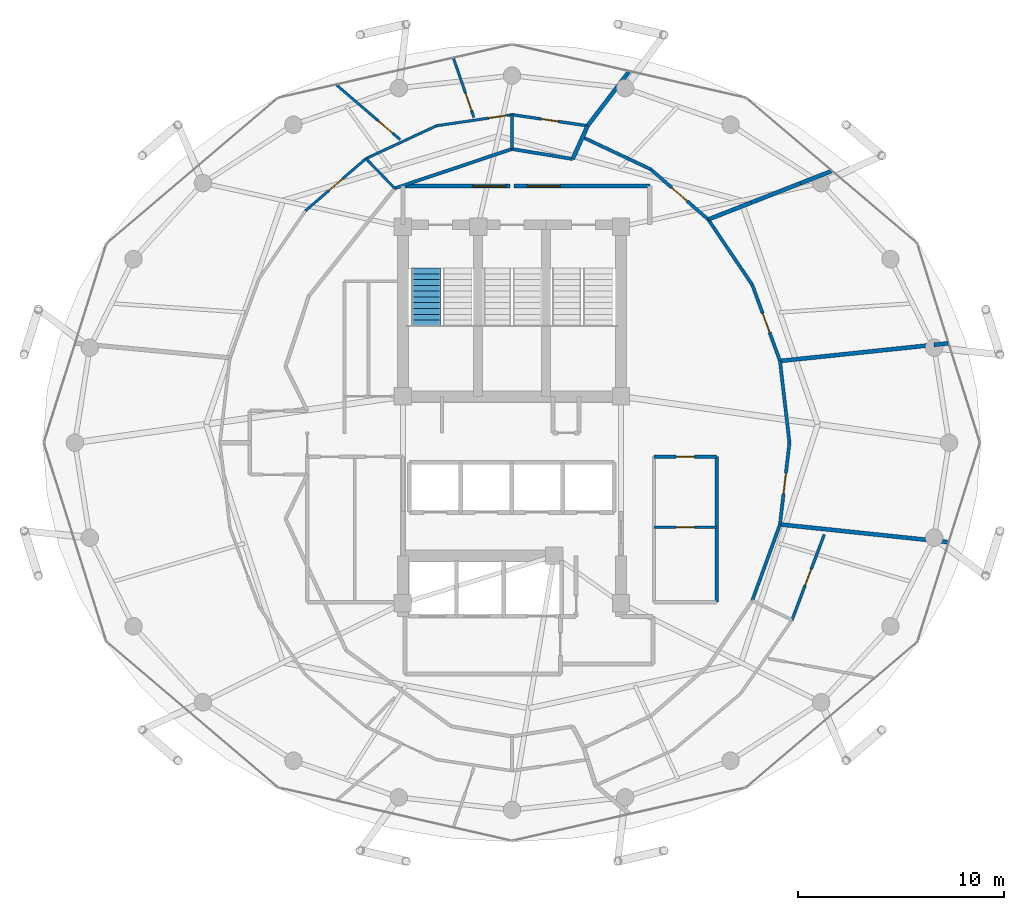
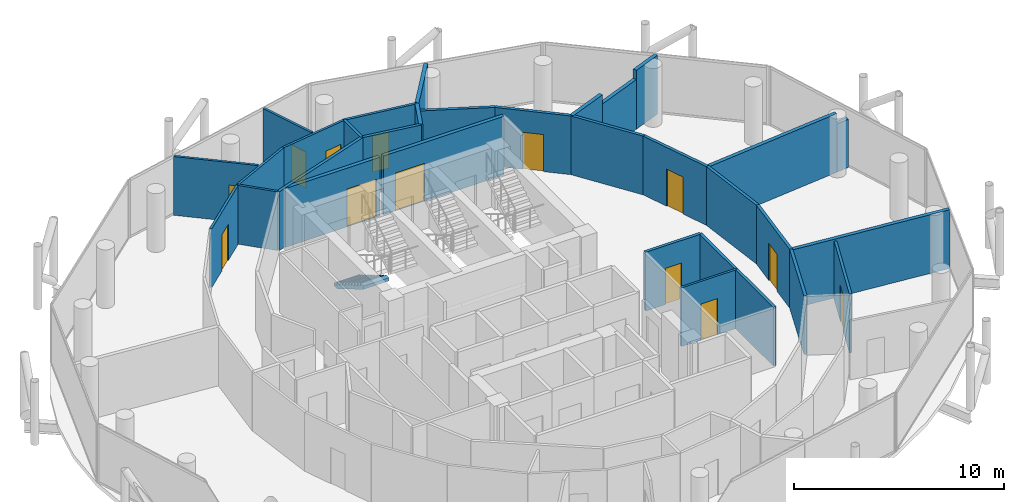
# One storey, part 25 of 27: 31 walls, 13 doors, 1 stair flight, 13 openings, 1 element without a shape of its own.
"""IFC4 building model written with IfcOpenShell, lengths in metres."""

from ifc_helpers import new_model, si_unit, direction, frame, frame_2d, origin, place, context, subcontext, project, spatial, polyline, rectangle, outline, extrude, material, layer, layer_set, type_object, element, fill, aggregate, save


model = new_model("IFC4")

# Units and contexts
model_context = context("Model", 3, precision=1e-05, world=origin(), true_north=direction((0.0, 1.0)))
body_context = subcontext(model_context, "Body", "Model", "MODEL_VIEW")
ifc_project = project(units=[si_unit("LENGTHUNIT", "METRE"), si_unit("AREAUNIT", "SQUARE_METRE"), si_unit("VOLUMEUNIT", "CUBIC_METRE"), si_unit("PLANEANGLEUNIT", "RADIAN"), si_unit("MASSUNIT", "GRAM", prefix="KILO")], contexts=[model_context])

# Site, building, storey
site_placement = place(None, origin())
site = spatial("IfcSite", under=ifc_project, at=site_placement, CompositionType="ELEMENT")
building_placement = place(site_placement, origin())
building = spatial("IfcBuilding", under=site, at=building_placement, Name="Nuhasar Tower", CompositionType="ELEMENT")
storey_placement = place(building_placement, frame((0.0, 0.0, 241.0)))
storey = spatial("IfcBuildingStorey", under=building, at=storey_placement, Name="L59", CompositionType="ELEMENT", Elevation=241.0)

# Wall
ifc_material_1 = material(Name="Gypsum Board", Category="gypsum")
ifc_layer_1 = layer(ifc_material_1, 0.159912109375)
ifc_layer_set_1 = layer_set([ifc_layer_1], Name="Gypsum Board")
wall_type_1 = type_object("IfcWallType", Name="WL-CORR-160", PredefinedType="PARTITIONING", material=ifc_layer_set_1)
wall_1_placement = place(storey_placement, frame((48.949951171875, 19.050048828125, 0.0), z_axis=(0.0, 0.0, 1.0), x_axis=(0.0, 1.0, 0.0)))
element("IfcWall", 1, at=wall_1_placement, inside=storey, type_object=wall_type_1, Name="L59 Interior Partition RECL-B2-E", PredefinedType="PARTITIONING", context=body_context, shape_type="SweptSolid", body=[
    extrude(rectangle(XDim=7.070068359375, YDim=0.159912109375, at=frame_2d((3.53515625, 0.0))), origin(), (0.0, 0.0, 1.0), 3.409912109375),
])

# Wall, opening, door
wall_2_placement = place(storey_placement, frame((48.949951171875, 26.1201171875, 0.0), z_axis=(0.0, 0.0, 1.0), x_axis=(-1.0, 0.0, 0.0)))
wall_2 = element("IfcWall", 2, at=wall_2_placement, inside=storey, type_object=wall_type_1, Name="L59 Interior Partition RECL-B2-N", PredefinedType="PARTITIONING", context=body_context, shape_type="SweptSolid", body=[
    extrude(rectangle(XDim=3.050048828125, YDim=0.159912109375, at=frame_2d((1.52490234375, 0.0))), origin(), (0.0, 0.0, 1.0), 3.409912109375),
])
opening_1_placement = place(wall_2_placement, frame((1.074951171875, 0.0, 0.0)))
opening_1 = element("IfcOpeningElement", 3, at=opening_1_placement, cuts=wall_2, Name="Opening DR-01", PredefinedType="OPENING", context=body_context, shape_type="SweptSolid", body=[
    extrude(rectangle(XDim=0.89990234375, YDim=2.10009765625, at=frame_2d((0.449951171875, 1.050048828125))), frame((0.0, 0.08984375, 0.0), z_axis=(0.0, -1.0, 0.0), x_axis=(1.0, 0.0, 0.0)), (0.0, 0.0, 1.0), 0.179931640625),
])
ifc_material_2 = material(Name="Timber Oak", Category="wood")
door_type_1 = type_object("IfcDoorType", Name="DR-ROOM-900", OperationType="NOTDEFINED", PredefinedType="DOOR", material=ifc_material_2)
door_1_placement = place(opening_1_placement, origin())
door_1 = element("IfcDoor", 4, at=door_1_placement, inside=storey, type_object=door_type_1, Name="L59 Utility Room Door", OperationType="SINGLE_SWING_LEFT", OverallHeight=2.10009765625, OverallWidth=0.89990234375, PredefinedType="DOOR", context=body_context, shape_type="SweptSolid", body=[
    extrude(rectangle(XDim=0.89990234375, YDim=2.10009765625, at=frame_2d((0.449951171875, 1.050048828125))), frame((0.0, 0.02490234375, 0.0), z_axis=(0.0, -1.0, 0.0), x_axis=(1.0, 0.0, 0.0)), (0.0, 0.0, 1.0), 0.050048828125),
])
fill(opening_1, door_1)

# Wall
wall_3_placement = place(storey_placement, frame((50.68310546875, 19.125, 0.0), z_axis=(0.0, 0.0, 1.0), x_axis=(0.341917221123, 0.939730075021, 0.0)))
element("IfcWall", 5, at=wall_3_placement, inside=storey, type_object=wall_type_1, Name="L59 Interior Partition CORR-44", PredefinedType="PARTITIONING", context=body_context, shape_type="SweptSolid", body=[
    extrude(rectangle(XDim=3.939208984375, YDim=0.159912109375, at=frame_2d((1.9697265625, 0.0))), origin(), (0.0, 0.0, 1.0), 3.409912109375),
])

# Wall, opening, door
wall_4_placement = place(storey_placement, frame((52.489990234375, 26.800048828125, 0.0), z_axis=(0.0, 0.0, 1.0), x_axis=(-0.114999429198, -0.99336555773, 0.0)))
wall_4 = element("IfcWall", 6, at=wall_4_placement, inside=storey, type_object=wall_type_1, Name="L59 Interior Partition CORR-46", PredefinedType="PARTITIONING", context=body_context, shape_type="SweptSolid", body=[
    extrude(rectangle(XDim=3.999755859375, YDim=0.159912109375, at=frame_2d((2.0, 0.0))), origin(), (0.0, 0.0, 1.0), 3.409912109375),
])
opening_2_placement = place(wall_4_placement, frame((1.5, 0.0, 0.0)))
opening_2 = element("IfcOpeningElement", 7, at=opening_2_placement, cuts=wall_4, Name="Opening DU-02", PredefinedType="OPENING", context=body_context, shape_type="SweptSolid", body=[
    extrude(rectangle(XDim=1.0, YDim=2.14990234375, at=frame_2d((0.5, 1.074951171875))), frame((0.0, 0.08984375, 0.0), z_axis=(0.0, -1.0, 0.0), x_axis=(1.0, 0.0, 0.0)), (0.0, 0.0, 1.0), 0.179931640625),
])
door_type_2 = type_object("IfcDoorType", Name="DR-FLAT-FD60-1000", OperationType="NOTDEFINED", PredefinedType="DOOR", material=ifc_material_2)
door_2_placement = place(opening_2_placement, origin())
door_2 = element("IfcDoor", 8, at=door_2_placement, inside=storey, type_object=door_type_2, Name="L59 Resident Gourmet Convenience Boutique Entrance Door", OperationType="SINGLE_SWING_RIGHT", OverallHeight=2.14990234375, OverallWidth=1.0, PredefinedType="DOOR", context=body_context, shape_type="SweptSolid", body=[
    extrude(rectangle(XDim=1.0, YDim=2.14990234375, at=frame_2d((0.5, 1.074951171875))), frame((0.0, 0.02490234375, 0.0), z_axis=(0.0, -1.0, 0.0), x_axis=(1.0, 0.0, 0.0)), (0.0, 0.0, 1.0), 0.050048828125),
])
fill(opening_2, door_2)

# Wall
wall_5_placement = place(storey_placement, frame((52.489990234375, 26.800048828125, 0.0), z_axis=(0.0, 0.0, 1.0), x_axis=(-0.115006402616, 0.99336475041, 0.0)))
element("IfcWall", 9, at=wall_5_placement, inside=storey, type_object=wall_type_1, Name="L59 Interior Partition CORR-00", PredefinedType="PARTITIONING", context=body_context, shape_type="SweptSolid", body=[
    extrude(rectangle(XDim=3.99951171875, YDim=0.159912109375, at=frame_2d((1.999755859375, 0.0))), origin(), (0.0, 0.0, 1.0), 3.409912109375),
])

# Wall, opening, door
wall_6_placement = place(storey_placement, frame((50.68310546875, 34.47509765625, 0.0), z_axis=(0.0, 0.0, 1.0), x_axis=(0.341897308959, -0.939737319748, 0.0)))
wall_6 = element("IfcWall", 10, at=wall_6_placement, inside=storey, type_object=wall_type_1, Name="L59 Interior Partition CORR-02", PredefinedType="PARTITIONING", context=body_context, shape_type="SweptSolid", body=[
    extrude(rectangle(XDim=3.939453125, YDim=0.159912109375, at=frame_2d((1.9697265625, 0.0))), origin(), (0.0, 0.0, 1.0), 3.409912109375),
])
opening_3_placement = place(wall_6_placement, frame((1.469970703125, 0.0, 0.0)))
opening_3 = element("IfcOpeningElement", 11, at=opening_3_placement, cuts=wall_6, Name="Opening DU-02", PredefinedType="OPENING", context=body_context, shape_type="SweptSolid", body=[
    extrude(rectangle(XDim=1.0, YDim=2.14990234375, at=frame_2d((0.5, 1.074951171875))), frame((0.0, 0.08984375, 0.0), z_axis=(0.0, -1.0, 0.0), x_axis=(1.0, 0.0, 0.0)), (0.0, 0.0, 1.0), 0.179931640625),
])
door_3_placement = place(opening_3_placement, origin())
door_3 = element("IfcDoor", 12, at=door_3_placement, inside=storey, type_object=door_type_2, Name="L59 Resident Florist & Art Shop Entrance Door", OperationType="SINGLE_SWING_RIGHT", OverallHeight=2.14990234375, OverallWidth=1.0, PredefinedType="DOOR", context=body_context, shape_type="SweptSolid", body=[
    extrude(rectangle(XDim=1.0, YDim=2.14990234375, at=frame_2d((0.5, 1.074951171875))), frame((0.0, 0.02490234375, 0.0), z_axis=(0.0, -1.0, 0.0), x_axis=(1.0, 0.0, 0.0)), (0.0, 0.0, 1.0), 0.050048828125),
])
fill(opening_3, door_3)

# Wall
wall_7_placement = place(storey_placement, frame((50.68310546875, 34.47509765625, 0.0), z_axis=(0.0, 0.0, 1.0), x_axis=(-0.55915897058, 0.829060459568, 0.0)))
element("IfcWall", 13, at=wall_7_placement, inside=storey, type_object=wall_type_1, Name="L59 Interior Partition CORR-04", PredefinedType="PARTITIONING", context=body_context, shape_type="SweptSolid", body=[
    extrude(rectangle(XDim=3.83447265625, YDim=0.159912109375, at=frame_2d((1.917236328125, 0.0))), origin(), (0.0, 0.0, 1.0), 3.409912109375),
])

# Wall, opening, door
wall_8_placement = place(storey_placement, frame((45.7451171875, 40.093017578125, 0.0), z_axis=(0.0, 0.0, 1.0), x_axis=(0.75334282606, -0.65762800003, 0.0)))
wall_8 = element("IfcWall", 14, at=wall_8_placement, inside=storey, type_object=wall_type_1, Name="L59 Interior Partition CORR-06", PredefinedType="PARTITIONING", context=body_context, shape_type="SweptSolid", body=[
    extrude(rectangle(XDim=3.708740234375, YDim=0.159912109375, at=frame_2d((1.8544921875, 0.0))), origin(), (0.0, 0.0, 1.0), 3.409912109375),
])
opening_4_placement = place(wall_8_placement, frame((1.35400390625, 0.0, 0.0)))
opening_4 = element("IfcOpeningElement", 15, at=opening_4_placement, cuts=wall_8, Name="Opening DU-02", PredefinedType="OPENING", context=body_context, shape_type="SweptSolid", body=[
    extrude(rectangle(XDim=1.0, YDim=2.14990234375, at=frame_2d((0.5, 1.074951171875))), frame((0.0, 0.08984375, 0.0), z_axis=(0.0, -1.0, 0.0), x_axis=(1.0, 0.0, 0.0)), (0.0, 0.0, 1.0), 0.179931640625),
])
door_4_placement = place(opening_4_placement, origin())
door_4 = element("IfcDoor", 16, at=door_4_placement, inside=storey, type_object=door_type_2, Name="L59 Residents Lounge Pantry Entrance Door", OperationType="SINGLE_SWING_RIGHT", OverallHeight=2.14990234375, OverallWidth=1.0, PredefinedType="DOOR", context=body_context, shape_type="SweptSolid", body=[
    extrude(rectangle(XDim=1.0, YDim=2.14990234375, at=frame_2d((0.5, 1.074951171875))), frame((0.0, 0.02490234375, 0.0), z_axis=(0.0, -1.0, 0.0), x_axis=(1.0, 0.0, 0.0)), (0.0, 0.0, 1.0), 0.050048828125),
])
fill(opening_4, door_4)

# Walls
wall_9_placement = place(storey_placement, frame((45.7451171875, 40.093017578125, 0.0), z_axis=(0.0, 0.0, 1.0), x_axis=(-0.904507668207, 0.426457357955, 0.0)))
element("IfcWall", 17, at=wall_9_placement, inside=storey, type_object=wall_type_1, Name="L59 Interior Partition CORR-08", PredefinedType="PARTITIONING", context=body_context, shape_type="SweptSolid", body=[
    extrude(rectangle(XDim=3.667236328125, YDim=0.159912109375, at=frame_2d((1.83349609375, 0.0))), origin(), (0.0, 0.0, 1.0), 3.409912109375),
])
wall_10_placement = place(storey_placement, frame((41.950927734375, 40.593017578125, 0.0), z_axis=(0.0, 0.0, 1.0), x_axis=(-0.986650832406, 0.162850038111, 0.0)))
element("IfcWall", 18, at=wall_10_placement, inside=storey, type_object=wall_type_1, Name="L59 Interior Partition UWEST-CORE-N1-10", PredefinedType="PARTITIONING", context=body_context, shape_type="SweptSolid", body=[
    extrude(rectangle(XDim=2.990966796875, YDim=0.159912109375, at=frame_2d((1.49560546875, 0.0))), origin(), (0.0, 0.0, 1.0), 3.409912109375),
])
wall_11_placement = place(storey_placement, frame((39.0, 41.080078125, 0.0), z_axis=(0.0, 0.0, 1.0), x_axis=(-0.948027514656, -0.318188358455, 0.0)))
element("IfcWall", 19, at=wall_11_placement, inside=storey, type_object=wall_type_1, Name="L59 Interior Partition UWEST-CORE-N2-12", PredefinedType="PARTITIONING", context=body_context, shape_type="SweptSolid", body=[
    extrude(rectangle(XDim=6.012451171875, YDim=0.159912109375, at=frame_2d((3.00634765625, 0.0))), origin(), (0.0, 0.0, 1.0), 3.409912109375),
])

# Wall, opening, door
ifc_material_3 = material(Name="Concrete C45/55", Category="concrete")
ifc_layer_2 = layer(ifc_material_3, 0.199951171875)
ifc_layer_set_2 = layer_set([ifc_layer_2], Name="Concrete C45/55")
wall_type_2 = type_object("IfcWallType", Name="WL-LOBBY-200", PredefinedType="SOLIDWALL", material=ifc_layer_set_2)
wall_12_placement = place(storey_placement, frame((38.89990234375, 39.280029296875, 0.0), z_axis=(0.0, 0.0, 1.0), x_axis=(-1.0, 0.0, 0.0)))
wall_12 = element("IfcWall", 20, at=wall_12_placement, inside=storey, type_object=wall_type_2, Name="L59 Interior Partition NSL-N1", PredefinedType="SOLIDWALL", context=body_context, shape_type="SweptSolid", body=[
    extrude(rectangle(XDim=5.199951171875, YDim=0.199951171875, at=frame_2d((2.60009765625, 0.0))), origin(), (0.0, 0.0, 1.0), 3.409912109375),
])
opening_5_placement = place(wall_12_placement, frame((0.199951171875, 0.0, 0.0)))
opening_5 = element("IfcOpeningElement", 21, at=opening_5_placement, cuts=wall_12, Name="Opening DC-01", PredefinedType="OPENING", context=body_context, shape_type="SweptSolid", body=[
    extrude(rectangle(XDim=1.60009765625, YDim=2.199951171875, at=frame_2d((0.800048828125, 1.10009765625))), frame((0.0, 0.10986328125, 0.0), z_axis=(0.0, -1.0, 0.0), x_axis=(1.0, 0.0, 0.0)), (0.0, 0.0, 1.0), 0.219970703125),
])
ifc_material_4 = material(Name="Steel S355", Category="steel")
door_type_3 = type_object("IfcDoorType", Name="DR-CORR-FD60-1600", OperationType="DOUBLE_DOOR_SINGLE_SWING", PredefinedType="DOOR", material=ifc_material_4)
door_5_placement = place(opening_5_placement, origin())
door_5 = element("IfcDoor", 22, at=door_5_placement, inside=storey, type_object=door_type_3, Name="L59 North Stair Lobby West Door", OperationType="DOUBLE_DOOR_SINGLE_SWING", OverallHeight=2.199951171875, OverallWidth=1.60009765625, PredefinedType="DOOR", context=body_context, shape_type="SweptSolid", body=[
    extrude(rectangle(XDim=1.60009765625, YDim=2.199951171875, at=frame_2d((0.800048828125, 1.10009765625))), frame((0.0, 0.02490234375, 0.0), z_axis=(0.0, -1.0, 0.0), x_axis=(1.0, 0.0, 0.0)), (0.0, 0.0, 1.0), 0.050048828125),
])
fill(opening_5, door_5)

wall_13_placement = place(storey_placement, frame((45.699951171875, 39.280029296875, 0.0), z_axis=(0.0, 0.0, 1.0), x_axis=(-1.0, 0.0, 0.0)))
wall_13 = element("IfcWall", 23, at=wall_13_placement, inside=storey, type_object=wall_type_2, Name="L59 Interior Partition NSL-N2", PredefinedType="SOLIDWALL", context=body_context, shape_type="SweptSolid", body=[
    extrude(rectangle(XDim=6.599853515625, YDim=0.199951171875, at=frame_2d((3.2998046875, 0.0))), origin(), (0.0, 0.0, 1.0), 3.409912109375),
])
opening_6_placement = place(wall_13_placement, frame((4.35009765625, 0.0, 0.0)))
opening_6 = element("IfcOpeningElement", 24, at=opening_6_placement, cuts=wall_13, Name="Opening DC-01", PredefinedType="OPENING", context=body_context, shape_type="SweptSolid", body=[
    extrude(rectangle(XDim=1.60009765625, YDim=2.199951171875, at=frame_2d((0.800048828125, 1.10009765625))), frame((0.0, 0.10986328125, 0.0), z_axis=(0.0, -1.0, 0.0), x_axis=(1.0, 0.0, 0.0)), (0.0, 0.0, 1.0), 0.219970703125),
])
door_6_placement = place(opening_6_placement, origin())
door_6 = element("IfcDoor", 25, at=door_6_placement, inside=storey, type_object=door_type_3, Name="L59 North Stair Lobby East Door", OperationType="DOUBLE_DOOR_SINGLE_SWING", OverallHeight=2.199951171875, OverallWidth=1.60009765625, PredefinedType="DOOR", context=body_context, shape_type="SweptSolid", body=[
    extrude(rectangle(XDim=1.60009765625, YDim=2.199951171875, at=frame_2d((0.800048828125, 1.10009765625))), frame((0.0, 0.02490234375, 0.0), z_axis=(0.0, -1.0, 0.0), x_axis=(1.0, 0.0, 0.0)), (0.0, 0.0, 1.0), 0.050048828125),
])
fill(opening_6, door_6)

ifc_layer_3 = layer(ifc_material_1, 0.125)
ifc_layer_set_3 = layer_set([ifc_layer_3], Name="Gypsum Board")
wall_type_3 = type_object("IfcWallType", Name="WL-PART-125", PredefinedType="PARTITIONING", material=ifc_layer_set_3)
wall_14_placement = place(storey_placement, frame((48.949951171875, 22.699951171875, 0.0), z_axis=(0.0, 0.0, 1.0), x_axis=(-1.0, 0.0, 0.0)))
wall_14 = element("IfcWall", 26, at=wall_14_placement, inside=storey, type_object=wall_type_3, Name="L59 Interior Partition RECL-B2-M", PredefinedType="PARTITIONING", context=body_context, shape_type="SweptSolid", body=[
    extrude(rectangle(XDim=3.050048828125, YDim=0.125, at=frame_2d((1.52490234375, 0.0))), origin(), (0.0, 0.0, 1.0), 3.409912109375),
])
opening_7_placement = place(wall_14_placement, frame((1.074951171875, 0.0, 0.0)))
opening_7 = element("IfcOpeningElement", 27, at=opening_7_placement, cuts=wall_14, Name="Opening DR-01", PredefinedType="OPENING", context=body_context, shape_type="SweptSolid", body=[
    extrude(rectangle(XDim=0.89990234375, YDim=2.10009765625, at=frame_2d((0.449951171875, 1.050048828125))), frame((0.0, 0.072509765625, 0.0), z_axis=(0.0, -1.0, 0.0), x_axis=(1.0, 0.0, 0.0)), (0.0, 0.0, 1.0), 0.14501953125),
])
door_7_placement = place(opening_7_placement, origin())
door_7 = element("IfcDoor", 28, at=door_7_placement, inside=storey, type_object=door_type_1, Name="L59 Inner Vault Door", OperationType="SINGLE_SWING_RIGHT", OverallHeight=2.10009765625, OverallWidth=0.89990234375, PredefinedType="DOOR", context=body_context, shape_type="SweptSolid", body=[
    extrude(rectangle(XDim=0.89990234375, YDim=2.10009765625, at=frame_2d((0.449951171875, 1.050048828125))), frame((0.0, 0.02490234375, 0.0), z_axis=(0.0, -1.0, 0.0), x_axis=(1.0, 0.0, 0.0)), (0.0, 0.0, 1.0), 0.050048828125),
])
fill(opening_7, door_7)

# Wall
wall_15_placement = place(storey_placement, frame((33.300048828125, 39.1669921875, 0.0), z_axis=(0.0, 0.0, 1.0), x_axis=(-0.695613346208, 0.718416364358, 0.0)))
element("IfcWall", 29, at=wall_15_placement, inside=storey, type_object=wall_type_3, Name="L59 Interior Partition USI-1-KD", PredefinedType="PARTITIONING", context=body_context, shape_type="SweptSolid", body=[
    extrude(rectangle(XDim=2.012939453125, YDim=0.125, at=frame_2d((1.00634765625, 0.0))), origin(), (0.0, 0.0, 1.0), 3.409912109375),
])

# Wall, opening, door
wall_16_placement = place(storey_placement, frame((35.324951171875, 42.20703125, 0.0), z_axis=(0.0, 0.0, 1.0), x_axis=(0.989261252839, 0.146158043334, 0.0)))
wall_16 = element("IfcWall", 30, at=wall_16_placement, inside=storey, type_object=wall_type_3, Name="L59 Interior Partition USM-1-K-12", PredefinedType="PARTITIONING", context=body_context, shape_type="SweptSolid", body=[
    extrude(rectangle(XDim=3.71484375, YDim=0.125, at=frame_2d((1.857421875, 0.0))), origin(), (0.0, 0.0, 1.0), 3.409912109375),
])
opening_8_placement = place(wall_16_placement, frame((2.56494140625, 0.0, 0.0)))
opening_8 = element("IfcOpeningElement", 31, at=opening_8_placement, cuts=wall_16, Name="Opening DR-01", PredefinedType="OPENING", context=body_context, shape_type="SweptSolid", body=[
    extrude(rectangle(XDim=0.89990234375, YDim=2.10009765625, at=frame_2d((0.449951171875, 1.050048828125))), frame((0.0, 0.072509765625, 0.0), z_axis=(0.0, -1.0, 0.0), x_axis=(1.0, 0.0, 0.0)), (0.0, 0.0, 1.0), 0.14501953125),
])
door_8_placement = place(opening_8_placement, origin())
door_8 = element("IfcDoor", 32, at=door_8_placement, inside=storey, type_object=door_type_1, Name="L59 North-West Sky Home Kitchen Door", OperationType="SINGLE_SWING_RIGHT", OverallHeight=2.10009765625, OverallWidth=0.89990234375, PredefinedType="DOOR", context=body_context, shape_type="SweptSolid", body=[
    extrude(rectangle(XDim=0.89990234375, YDim=2.10009765625, at=frame_2d((0.449951171875, 1.050048828125))), frame((0.0, 0.02490234375, 0.0), z_axis=(0.0, -1.0, 0.0), x_axis=(1.0, 0.0, 0.0)), (0.0, 0.0, 1.0), 0.050048828125),
])
fill(opening_8, door_8)

# Wall
wall_17_placement = place(storey_placement, frame((35.324951171875, 42.20703125, 0.0), z_axis=(0.0, 0.0, 1.0), x_axis=(-0.906625113427, -0.421937085007, 0.0)))
element("IfcWall", 33, at=wall_17_placement, inside=storey, type_object=wall_type_3, Name="L59 Interior Partition USM-1-K-14", PredefinedType="PARTITIONING", context=body_context, shape_type="SweptSolid", body=[
    extrude(rectangle(XDim=3.77783203125, YDim=0.125, at=frame_2d((1.888916015625, 0.0))), origin(), (0.0, 0.0, 1.0), 3.409912109375),
])

# Wall, opening, door
wall_18_placement = place(storey_placement, frame((28.958984375, 38.077880859375, 0.0), z_axis=(0.0, 0.0, 1.0), x_axis=(0.757424973134, 0.652922208286, 0.0)))
wall_18 = element("IfcWall", 34, at=wall_18_placement, inside=storey, type_object=wall_type_3, Name="L59 Interior Partition USM-1-D-16", PredefinedType="PARTITIONING", context=body_context, shape_type="SweptSolid", body=[
    extrude(rectangle(XDim=3.8828125, YDim=0.125, at=frame_2d((1.94140625, 0.0))), origin(), (0.0, 0.0, 1.0), 3.409912109375),
])
opening_9_placement = place(wall_18_placement, frame((1.490966796875, 0.0, 0.0)))
opening_9 = element("IfcOpeningElement", 35, at=opening_9_placement, cuts=wall_18, Name="Opening DR-01", PredefinedType="OPENING", context=body_context, shape_type="SweptSolid", body=[
    extrude(rectangle(XDim=0.89990234375, YDim=2.10009765625, at=frame_2d((0.449951171875, 1.050048828125))), frame((0.0, 0.072509765625, 0.0), z_axis=(0.0, -1.0, 0.0), x_axis=(1.0, 0.0, 0.0)), (0.0, 0.0, 1.0), 0.14501953125),
])
door_9_placement = place(opening_9_placement, origin())
door_9 = element("IfcDoor", 36, at=door_9_placement, inside=storey, type_object=door_type_1, Name="L59 North-West Sky Home Living Door", OperationType="SINGLE_SWING_LEFT", OverallHeight=2.10009765625, OverallWidth=0.89990234375, PredefinedType="DOOR", context=body_context, shape_type="SweptSolid", body=[
    extrude(rectangle(XDim=0.89990234375, YDim=2.10009765625, at=frame_2d((0.449951171875, 1.050048828125))), frame((0.0, 0.02490234375, 0.0), z_axis=(0.0, -1.0, 0.0), x_axis=(1.0, 0.0, 0.0)), (0.0, 0.0, 1.0), 0.050048828125),
])
fill(opening_9, door_9)

wall_19_placement = place(storey_placement, frame((37.14697265625, 42.614013671875, 0.0), z_axis=(0.0, 0.0, 1.0), x_axis=(-0.325834204973, 0.945426925188, 0.0)))
wall_19 = element("IfcWall", 37, at=wall_19_placement, inside=storey, type_object=wall_type_3, Name="L59 Interior Partition USO-1-B1", PredefinedType="PARTITIONING", context=body_context, shape_type="SweptSolid", body=[
    extrude(rectangle(XDim=3.029296875, YDim=0.125, at=frame_2d((1.5146484375, 0.0))), origin(), (0.0, 0.0, 1.0), 3.409912109375),
])
opening_10_placement = place(wall_19_placement, frame((0.35009765625, 0.0, 0.0)))
opening_10 = element("IfcOpeningElement", 38, at=opening_10_placement, cuts=wall_19, Name="Opening DR-01", PredefinedType="OPENING", context=body_context, shape_type="SweptSolid", body=[
    extrude(rectangle(XDim=0.89990234375, YDim=2.10009765625, at=frame_2d((0.449951171875, 1.050048828125))), frame((0.0, 0.072509765625, 0.0), z_axis=(0.0, -1.0, 0.0), x_axis=(1.0, 0.0, 0.0)), (0.0, 0.0, 1.0), 0.14501953125),
])
door_10_placement = place(opening_10_placement, origin())
door_10 = element("IfcDoor", 39, at=door_10_placement, inside=storey, type_object=door_type_1, Name="L59 North-West Sky Home Master Bedroom Door", OperationType="SINGLE_SWING_LEFT", OverallHeight=2.10009765625, OverallWidth=0.89990234375, PredefinedType="DOOR", context=body_context, shape_type="SweptSolid", body=[
    extrude(rectangle(XDim=0.89990234375, YDim=2.10009765625, at=frame_2d((0.449951171875, 1.050048828125))), frame((0.0, 0.02490234375, 0.0), z_axis=(0.0, -1.0, 0.0), x_axis=(1.0, 0.0, 0.0)), (0.0, 0.0, 1.0), 0.050048828125),
])
fill(opening_10, door_10)

wall_20_placement = place(storey_placement, frame((33.56591796875, 41.535888671875, 0.0), z_axis=(0.0, 0.0, 1.0), x_axis=(-0.759099779472, 0.650974288897, 0.0)))
wall_20 = element("IfcWall", 40, at=wall_20_placement, inside=storey, type_object=wall_type_3, Name="L59 Interior Partition USO-1-B2", PredefinedType="PARTITIONING", context=body_context, shape_type="SweptSolid", body=[
    extrude(rectangle(XDim=4.066650390625, YDim=0.125, at=frame_2d((2.033203125, 0.0))), origin(), (0.0, 0.0, 1.0), 3.409912109375),
])
opening_11_placement = place(wall_20_placement, frame((0.501953125, 0.0, 0.0)))
opening_11 = element("IfcOpeningElement", 41, at=opening_11_placement, cuts=wall_20, Name="Opening DR-01", PredefinedType="OPENING", context=body_context, shape_type="SweptSolid", body=[
    extrude(rectangle(XDim=0.89990234375, YDim=2.10009765625, at=frame_2d((0.449951171875, 1.050048828125))), frame((0.0, 0.072509765625, 0.0), z_axis=(0.0, -1.0, 0.0), x_axis=(1.0, 0.0, 0.0)), (0.0, 0.0, 1.0), 0.14501953125),
])
door_11_placement = place(opening_11_placement, origin())
door_11 = element("IfcDoor", 42, at=door_11_placement, inside=storey, type_object=door_type_1, Name="L59 North-West Sky Home Study Door", OperationType="SINGLE_SWING_LEFT", OverallHeight=2.10009765625, OverallWidth=0.89990234375, PredefinedType="DOOR", context=body_context, shape_type="SweptSolid", body=[
    extrude(rectangle(XDim=0.89990234375, YDim=2.10009765625, at=frame_2d((0.449951171875, 1.050048828125))), frame((0.0, 0.02490234375, 0.0), z_axis=(0.0, -1.0, 0.0), x_axis=(1.0, 0.0, 0.0)), (0.0, 0.0, 1.0), 0.050048828125),
])
fill(opening_11, door_11)

# Walls
ifc_material_5 = material(Name="Concrete C40/50 precast", Category="concrete")
ifc_layer_4 = layer(ifc_material_5, 0.199951171875)
ifc_layer_set_4 = layer_set([ifc_layer_4], Name="Concrete C40/50 precast")
wall_type_4 = type_object("IfcWallType", Name="WL-UNIT-200", PredefinedType="PARTITIONING", material=ifc_layer_set_4)
wall_21_placement = place(storey_placement, frame((41.950927734375, 40.593017578125, 0.0), z_axis=(0.0, 0.0, 1.0), x_axis=(0.409337233456, 0.912383159263, 0.0)))
element("IfcWall", 43, at=wall_21_placement, inside=storey, type_object=wall_type_4, Name="L59 Interior Partition URAD-10-NW-S1", PredefinedType="PARTITIONING", context=body_context, shape_type="SweptSolid", body=[
    extrude(rectangle(XDim=1.76904296875, YDim=0.199951171875, at=frame_2d((0.884521484375, 0.0))), origin(), (0.0, 0.0, 1.0), 3.409912109375),
])
wall_22_placement = place(storey_placement, frame((42.675048828125, 42.20703125, 0.0), z_axis=(0.0, 0.0, 1.0), x_axis=(0.607307427022, 0.794466921328, 0.0)))
element("IfcWall", 44, at=wall_22_placement, inside=storey, type_object=wall_type_4, Name="L59 Interior Partition URAD-10-NW-S2", PredefinedType="PARTITIONING", context=body_context, shape_type="SweptSolid", body=[
    extrude(rectangle(XDim=3.302978515625, YDim=0.199951171875, at=frame_2d((1.6513671875, 0.0))), origin(), (0.0, 0.0, 1.0), 3.409912109375),
])
wall_23_placement = place(storey_placement, frame((52.030029296875, 22.826904296875, 0.0), z_axis=(0.0, 0.0, 1.0), x_axis=(0.994523344894, -0.104514671028, 0.0)))
element("IfcWall", 45, at=wall_23_placement, inside=storey, type_object=wall_type_4, Name="L59 Interior Partition URAD-46", PredefinedType="PARTITIONING", context=body_context, shape_type="SweptSolid", body=[
    extrude(rectangle(XDim=8.2177734375, YDim=0.199951171875, at=frame_2d((4.10888671875, 0.0))), origin(), (0.0, 0.0, 1.0), 3.409912109375),
])
wall_24_placement = place(storey_placement, frame((52.030029296875, 30.77294921875, 0.0), z_axis=(0.0, 0.0, 1.0), x_axis=(0.994537025742, 0.104384407017, 0.0)))
element("IfcWall", 46, at=wall_24_placement, inside=storey, type_object=wall_type_4, Name="L59 Interior Partition URAD-02", PredefinedType="PARTITIONING", context=body_context, shape_type="SweptSolid", body=[
    extrude(rectangle(XDim=7.53125, YDim=0.199951171875, at=frame_2d((3.765625, 0.0))), origin(), (0.0, 0.0, 1.0), 3.409912109375),
])
wall_25_placement = place(storey_placement, frame((59.52001953125, 31.55908203125, 0.0), z_axis=(0.0, 0.0, 1.0), x_axis=(0.994484001442, 0.104888373409, 0.0)))
element("IfcWall", 47, at=wall_25_placement, inside=storey, type_object=wall_type_4, Name="L59 Interior Partition URAD-02", PredefinedType="PARTITIONING", context=body_context, shape_type="SweptSolid", body=[
    extrude(rectangle(XDim=0.686767578125, YDim=0.199951171875, at=frame_2d((0.34326171875, 0.0))), origin(), (0.0, 0.0, 1.0), 2.794921875),
])
wall_26_placement = place(storey_placement, frame((48.5390625, 37.654052734375, 0.0), z_axis=(0.0, 0.0, 1.0), x_axis=(0.931110996266, 0.364735949192, 0.0)))
element("IfcWall", 48, at=wall_26_placement, inside=storey, type_object=wall_type_4, Name="L59 Interior Partition URAD-06", PredefinedType="PARTITIONING", context=body_context, shape_type="SweptSolid", body=[
    extrude(rectangle(XDim=2.242431640625, YDim=0.199951171875, at=frame_2d((1.12109375, 0.0))), origin(), (0.0, 0.0, 1.0), 3.409912109375),
])
wall_27_placement = place(storey_placement, frame((50.626953125, 38.471923828125, 0.0), z_axis=(0.0, 0.0, 1.0), x_axis=(0.930956747199, 0.365129476823, 0.0)))
element("IfcWall", 49, at=wall_27_placement, inside=storey, type_object=wall_type_4, Name="L59 Interior Partition URAD-06", PredefinedType="PARTITIONING", context=body_context, shape_type="SweptSolid", body=[
    extrude(rectangle(XDim=2.571533203125, YDim=0.199951171875, at=frame_2d((1.28564453125, 0.0))), origin(), (0.0, 0.0, 1.0), 2.8798828125),
])
wall_28_placement = place(storey_placement, frame((53.02099609375, 39.410888671875, 0.0), z_axis=(0.0, 0.0, 1.0), x_axis=(0.931075100225, 0.364827572616, 0.0)))
element("IfcWall", 50, at=wall_28_placement, inside=storey, type_object=wall_type_4, Name="L59 Interior Partition URAD-06", PredefinedType="PARTITIONING", context=body_context, shape_type="SweptSolid", body=[
    extrude(rectangle(XDim=1.612060546875, YDim=0.199951171875, at=frame_2d((0.80615234375, 0.0))), origin(), (0.0, 0.0, 1.0), 3.409912109375),
])

# Wall, opening, door
ifc_layer_5 = layer(ifc_material_5, 0.139892578125)
ifc_layer_set_5 = layer_set([ifc_layer_5], Name="Concrete C40/50 precast")
wall_type_5 = type_object("IfcWallType", Name="WL-WET-140", PredefinedType="PARTITIONING", material=ifc_layer_set_5)
wall_29_placement = place(storey_placement, frame((54.18408203125, 22.3349609375, 0.0), z_axis=(0.0, 0.0, 1.0), x_axis=(-0.353114384325, -0.935580157754, 0.0)))
wall_29 = element("IfcWall", 51, at=wall_29_placement, inside=storey, type_object=wall_type_5, Name="L59 Interior Partition UMID-01-B-44", PredefinedType="PARTITIONING", context=body_context, shape_type="SweptSolid", body=[
    extrude(rectangle(XDim=4.4462890625, YDim=0.139892578125, at=frame_2d((2.22314453125, 0.0))), origin(), (0.0, 0.0, 1.0), 3.409912109375),
])
opening_12_placement = place(wall_29_placement, frame((1.798095703125, 0.0, 0.0)))
opening_12 = element("IfcOpeningElement", 52, at=opening_12_placement, cuts=wall_29, Name="Opening DB-01", PredefinedType="OPENING", context=body_context, shape_type="SweptSolid", body=[
    extrude(rectangle(XDim=0.85009765625, YDim=2.10009765625, at=frame_2d((0.425048828125, 1.050048828125))), frame((0.0, 0.080078125, 0.0), z_axis=(0.0, -1.0, 0.0), x_axis=(1.0, 0.0, 0.0)), (0.0, 0.0, 1.0), 0.159912109375),
])
door_type_4 = type_object("IfcDoorType", Name="DR-BATH-850", OperationType="NOTDEFINED", PredefinedType="DOOR", material=ifc_material_2)
door_12_placement = place(opening_12_placement, origin())
door_12 = element("IfcDoor", 53, at=door_12_placement, inside=storey, type_object=door_type_4, Name="L59 U01 Bathroom Door", OperationType="SINGLE_SWING_LEFT", OverallHeight=2.10009765625, OverallWidth=0.85009765625, PredefinedType="DOOR", context=body_context, shape_type="SweptSolid", body=[
    extrude(rectangle(XDim=0.85009765625, YDim=2.10009765625, at=frame_2d((0.425048828125, 1.050048828125))), frame((0.0, 0.02490234375, 0.0), z_axis=(0.0, -1.0, 0.0), x_axis=(1.0, 0.0, 0.0)), (0.0, 0.0, 1.0), 0.050048828125),
])
fill(opening_12, door_12)

# Wall
wall_30_placement = place(storey_placement, frame((39.0, 41.080078125, 0.0), z_axis=(0.0, 0.0, 1.0), x_axis=(0.0, 1.0, 0.0)))
element("IfcWall", 54, at=wall_30_placement, inside=storey, type_object=wall_type_5, Name="L59 Interior Partition USI-1-BK", PredefinedType="PARTITIONING", context=body_context, shape_type="SweptSolid", body=[
    extrude(rectangle(XDim=1.669921875, YDim=0.139892578125, at=frame_2d((0.8349609375, 0.0))), origin(), (0.0, 0.0, 1.0), 3.409912109375),
])

# Wall, opening, door
wall_31_placement = place(storey_placement, frame((39.0, 42.75, 0.0), z_axis=(0.0, 0.0, 1.0), x_axis=(0.989261252839, -0.146158043334, 0.0)))
wall_31 = element("IfcWall", 55, at=wall_31_placement, inside=storey, type_object=wall_type_5, Name="L59 Interior Partition USM-1-B-10", PredefinedType="PARTITIONING", context=body_context, shape_type="SweptSolid", body=[
    extrude(rectangle(XDim=3.71484375, YDim=0.139892578125, at=frame_2d((1.857421875, 0.0))), origin(), (0.0, 0.0, 1.0), 3.409912109375),
])
opening_13_placement = place(wall_31_placement, frame((1.431884765625, 0.0, 0.0)))
opening_13 = element("IfcOpeningElement", 56, at=opening_13_placement, cuts=wall_31, Name="Opening DB-01", PredefinedType="OPENING", context=body_context, shape_type="SweptSolid", body=[
    extrude(rectangle(XDim=0.85009765625, YDim=2.10009765625, at=frame_2d((0.425048828125, 1.050048828125))), frame((0.0, 0.080078125, 0.0), z_axis=(0.0, -1.0, 0.0), x_axis=(1.0, 0.0, 0.0)), (0.0, 0.0, 1.0), 0.159912109375),
])
door_13_placement = place(opening_13_placement, origin())
door_13 = element("IfcDoor", 57, at=door_13_placement, inside=storey, type_object=door_type_4, Name="L59 North-West Sky Home En-Suite Door", OperationType="SINGLE_SWING_RIGHT", OverallHeight=2.10009765625, OverallWidth=0.85009765625, PredefinedType="DOOR", context=body_context, shape_type="SweptSolid", body=[
    extrude(rectangle(XDim=0.85009765625, YDim=2.10009765625, at=frame_2d((0.425048828125, 1.050048828125))), frame((0.0, 0.02490234375, 0.0), z_axis=(0.0, -1.0, 0.0), x_axis=(1.0, 0.0, 0.0)), (0.0, 0.0, 1.0), 0.050048828125),
])
fill(opening_13, door_13)

# Stair, stair flight
stair_type = type_object("IfcStairType", Name="STR-ST-01-2F-22R-1659", PredefinedType="HALF_TURN_STAIR", material=ifc_material_3)
stair_placement = place(storey_placement, origin())
stair = element("IfcStair", 58, at=stair_placement, inside=storey, type_object=stair_type, Name="L59 Exit Stair ST-01", PredefinedType="HALF_TURN_STAIR")
stair_flight_type = type_object("IfcStairFlightType", Name="SFL-ST-01-11R-1659", PredefinedType="STRAIGHT", material=ifc_material_3)
stair_flight_placement = place(storey_placement, frame((34.830078125, 35.284912109375, 0.0), z_axis=(0.0, 0.0, 1.0), x_axis=(0.0, -1.0, 0.0)))
stair_flight = element("IfcStairFlight", 59, at=stair_flight_placement, type_object=stair_flight_type, Name="ST-01 flight 1", NumberOfRisers=11, NumberOfTreads=10, PredefinedType="STRAIGHT", RiserHeight=0.165909, TreadLength=0.28, context=body_context, shape_type="SweptSolid", body=[
    extrude(outline(polyline([(0.0, 0.0), (0.0, 0.166015625), (0.280029296875, 0.166015625), (0.280029296875, 0.331787109375), (0.56005859375, 0.331787109375), (0.56005859375, 0.497802734375), (0.840087890625, 0.497802734375), (0.840087890625, 0.66357421875), (1.1201171875, 0.66357421875), (1.1201171875, 0.82958984375), (1.39990234375, 0.82958984375), (1.39990234375, 0.995361328125), (1.679931640625, 0.995361328125), (1.679931640625, 1.161376953125), (1.9599609375, 1.161376953125), (1.9599609375, 1.327392578125), (2.239990234375, 1.327392578125), (2.239990234375, 1.4931640625), (2.52001953125, 1.4931640625), (2.52001953125, 1.6591796875), (2.800048828125, 1.6591796875), (2.800048828125, 1.824951171875), (2.800048828125, 1.47314453125), (0.313720703125, 0.0), (0.0, 0.0)])), frame((0.0, 0.7099609375, 0.0), z_axis=(0.0, -1.0, 0.0), x_axis=(1.0, 0.0, 0.0)), (0.0, 0.0, 1.0), 1.419921875),
])
aggregate(stair, [stair_flight])

save(model, "model.ifc")
